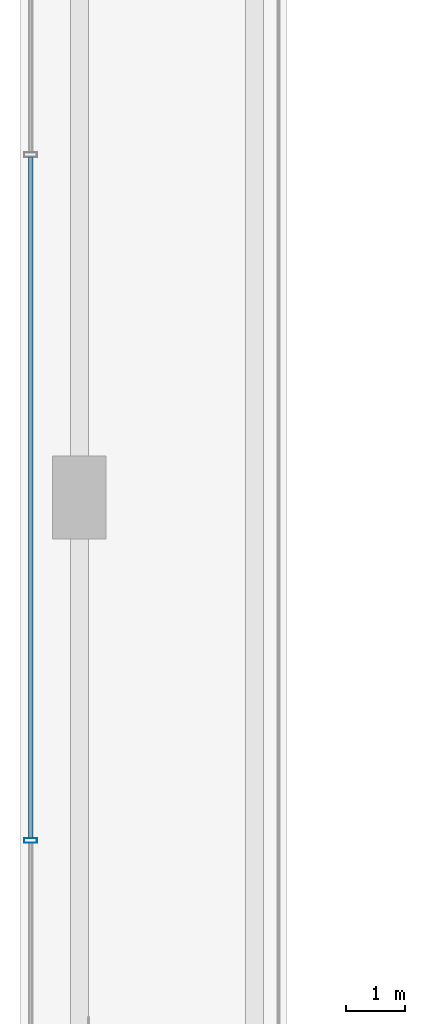
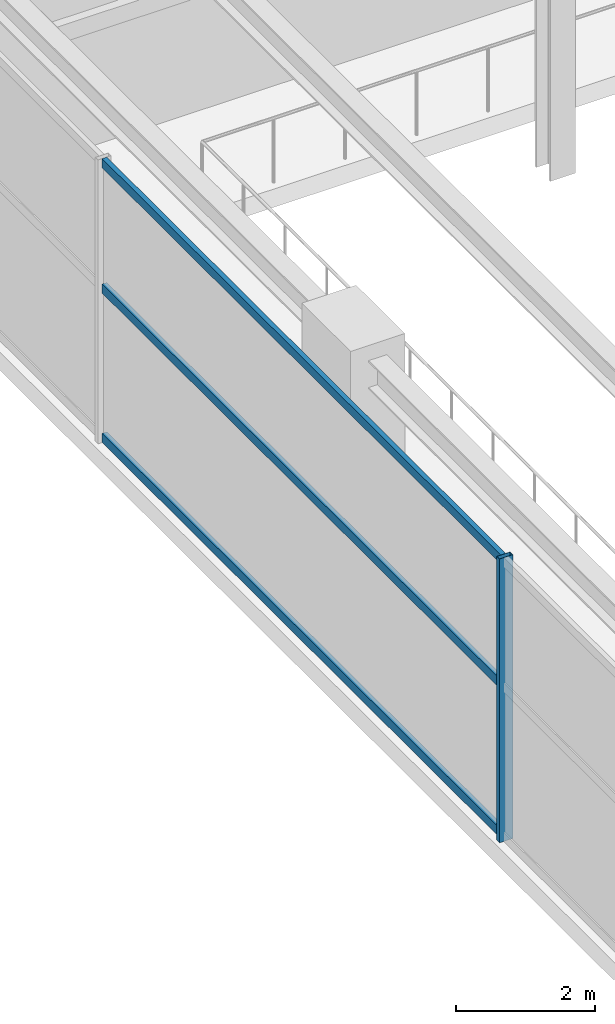
# One storey, part 8 of 35: 4 members, 1 element without a shape of its own.
"""IFC4 building model written with IfcOpenShell, lengths in metres."""

from ifc_helpers import new_model, si_unit, direction, frame, origin, origin_2d, place, context, subcontext, project, spatial, hollow_rectangle, extrude, source, transform, mapped, material, material_profile, profile_set, type_object, element, aggregate, save


model = new_model("IFC4")

# Units and contexts
model_context = context("Model", 3, precision=1e-05, world=origin(), true_north=direction((0.0, 1.0)))
body_context = subcontext(model_context, "Body", "Model", "MODEL_VIEW")
ifc_project = project(units=[si_unit("LENGTHUNIT", "METRE"), si_unit("AREAUNIT", "SQUARE_METRE"), si_unit("VOLUMEUNIT", "CUBIC_METRE"), si_unit("PLANEANGLEUNIT", "RADIAN"), si_unit("MASSUNIT", "GRAM", prefix="KILO")], contexts=[model_context])

# Site, building, storey
site_placement = place(None, origin())
site = spatial("IfcSite", under=ifc_project, at=site_placement, CompositionType="ELEMENT")
building_placement = place(site_placement, origin())
building = spatial("IfcBuilding", under=site, at=building_placement, Name="Nahalor Promenade Grand Hotel", CompositionType="ELEMENT")
storey_placement = place(building_placement, frame((0.0, 0.0, 21.60009765625)))
storey = spatial("IfcBuildingStorey", under=building, at=storey_placement, Name="L04", CompositionType="ELEMENT", Elevation=21.60009765625)

# Curtain wall, members
ifc_material = material(Name="Anodised Bronze Aluminium EN AW-6063 T6", Category="aluminium")
curtain_wall_type = type_object("IfcCurtainWallType", Name="CW1 Waterfront Podium Bronze Arcade Curtain Wall", PredefinedType="USERDEFINED", material=ifc_material)
curtain_wall_placement = place(storey_placement, origin())
curtain_wall = element("IfcCurtainWall", 1, at=curtain_wall_placement, inside=storey, type_object=curtain_wall_type, Name="L04 Curtain Wall CW-L04-W", ObjectType="UNITISED_CURTAIN_WALL", PredefinedType="USERDEFINED")
ifc_material_profile_1 = material_profile(ifc_material, hollow_rectangle(XDim=0.08, YDim=0.22, WallThickness=0.005, at=origin_2d()), Name="CWM 80x220x5")
ifc_profile_set_1 = profile_set([ifc_material_profile_1], Name="Anodised Bronze Aluminium EN AW-6063 T6")
member_type_1 = type_object("IfcMemberType", Name="CWM1 Podium Bronze Mullion 80x220", PredefinedType="MULLION", material=ifc_profile_set_1)
shared_shape_1 = source(origin(), body_context, "Body", "SweptSolid", [
    extrude(hollow_rectangle(XDim=0.08, YDim=0.22, WallThickness=0.005, at=origin_2d()), origin(), (0.0, 0.0, 1.0), 4.97998046875),
])
member_1_placement = place(storey_placement, frame((-33.820068359375, -5.7734375, 0.0), z_axis=(0.0, 0.0, 1.0), x_axis=(0.0, 1.0, 0.0)))
member_1 = element("IfcMember", 2, at=member_1_placement, type_object=member_type_1, Name="CW-L04-W Mullion 1", PredefinedType="MULLION", context=body_context, shape_type="MappedRepresentation", body=[
    mapped(shared_shape_1, transform((0.0, 0.0, 0.0), scale=1.0)),
])
ifc_material_profile_2 = material_profile(ifc_material, hollow_rectangle(XDim=0.08, YDim=0.16, WallThickness=0.004, at=origin_2d()), Name="CWT 80x160x4")
ifc_profile_set_2 = profile_set([ifc_material_profile_2], Name="Anodised Bronze Aluminium EN AW-6063 T6")
member_type_2 = type_object("IfcMemberType", Name="CWT1 Podium Bronze Transom 80x160", PredefinedType="USERDEFINED", material=ifc_profile_set_2)
shared_shape_2 = source(origin(), body_context, "Body", "SweptSolid", [
    extrude(hollow_rectangle(XDim=0.08, YDim=0.16, WallThickness=0.004, at=origin_2d()), origin(), (0.0, 0.0, 1.0), 11.466796875),
])
member_2_placement = place(storey_placement, frame((-33.820068359375, -5.7333984375, 0.079833984375), z_axis=(0.0, 1.0, 0.0), x_axis=(-1.0, 0.0, 0.0)))
member_2 = element("IfcMember", 3, at=member_2_placement, type_object=member_type_2, Name="CW-L04-W Transom 1-0", ObjectType="TRANSOM", PredefinedType="USERDEFINED", context=body_context, shape_type="MappedRepresentation", body=[
    mapped(shared_shape_2, transform((0.0, 0.0, 0.0), scale=1.0)),
])
member_3_placement = place(storey_placement, frame((-33.820068359375, -5.7333984375, 2.699951171875), z_axis=(0.0, 1.0, 0.0), x_axis=(-1.0, 0.0, 0.0)))
member_3 = element("IfcMember", 4, at=member_3_placement, type_object=member_type_2, Name="CW-L04-W Transom 1-1", ObjectType="TRANSOM", PredefinedType="USERDEFINED", context=body_context, shape_type="MappedRepresentation", body=[
    mapped(shared_shape_2, transform((0.0, 0.0, 0.0), scale=1.0)),
])
member_4_placement = place(storey_placement, frame((-33.820068359375, -5.7333984375, 4.89990234375), z_axis=(0.0, 1.0, 0.0), x_axis=(-1.0, 0.0, 0.0)))
member_4 = element("IfcMember", 5, at=member_4_placement, type_object=member_type_2, Name="CW-L04-W Transom 1-2", ObjectType="TRANSOM", PredefinedType="USERDEFINED", context=body_context, shape_type="MappedRepresentation", body=[
    mapped(shared_shape_2, transform((0.0, 0.0, 0.0), scale=1.0)),
])
aggregate(curtain_wall, [member_1, member_2, member_3, member_4])

save(model, "model.ifc")
